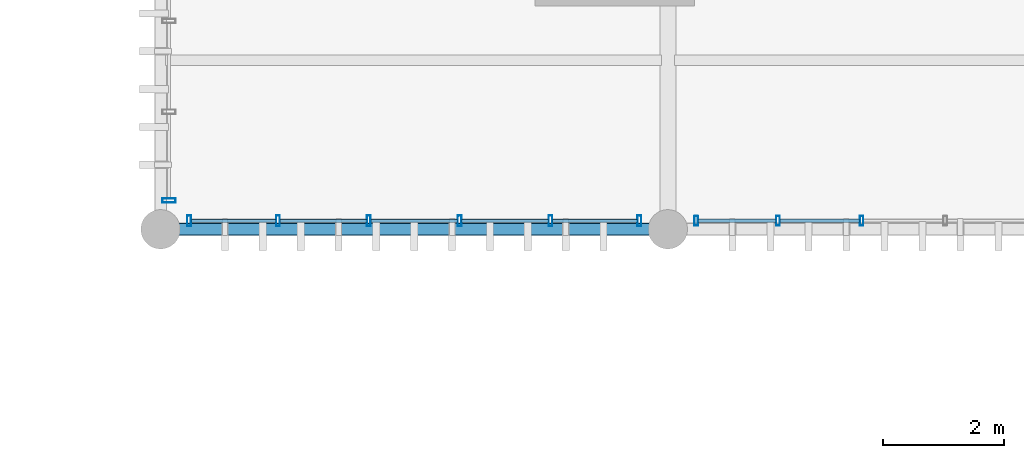
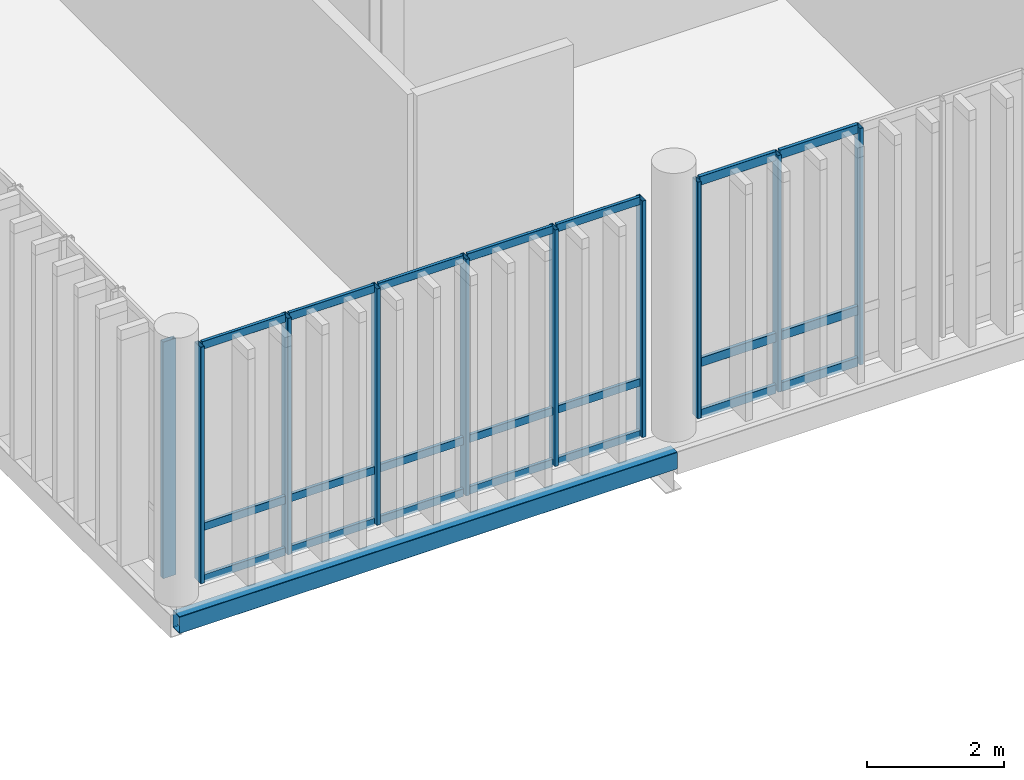
# One storey, part 45 of 86: 31 members, 1 beam, 3 elements without a shape of their own.
"""IFC4 building model written with IfcOpenShell, lengths in metres."""

import ifcopenshell
import ifcopenshell.guid

model = None  # the IFC model being written
_history = None  # IfcOwnerHistory: only IFC2X3 demands one
_inside = {}  # id of a spatial element -> (the spatial element, [elements in it])
_under = {}  # id of a project, library or spatial element -> (it, [spatial elements below it])
_declared = {}  # id of a project -> (the project, [libraries it declares])
_typed = {}  # id of a type object -> (the type object, [elements of that type])
_made_of = {}  # id of a material, layer set ... -> (it, [elements and type objects made of it])


def new_model(schema):
    """Start an empty IFC model of exactly this schema.

    Asked for "IFC4X3", IfcOpenShell would pick the latest addendum, in which some entities
    have other attributes; the version numbers below select the first issue.
    IFC2X3 requires an IfcOwnerHistory on every rooted entity: one is made here for all.
    """
    global model, _history
    if schema == "IFC4X3":
        model = ifcopenshell.file(schema_version=(4, 3, 0, 0))
    else:
        model = ifcopenshell.file(schema=schema)
    _inside.clear()
    _under.clear()
    _declared.clear()
    _typed.clear()
    _made_of.clear()
    _history = None
    if model.schema == "IFC2X3":
        org = make("IfcOrganization", Name="unknown")
        user = make(
            "IfcPersonAndOrganization",
            ThePerson=make("IfcPerson", FamilyName="unknown"),
            TheOrganization=org,
        )
        app = make(
            "IfcApplication",
            ApplicationDeveloper=org,
            Version="unknown",
            ApplicationFullName="unknown",
            ApplicationIdentifier="unknown",
        )
        _history = make(
            "IfcOwnerHistory",
            OwningUser=user,
            OwningApplication=app,
            ChangeAction="ADDED",
            CreationDate=0,
        )
    return model


def make(cls, **values):
    """One entity of the class cls with the attributes given. An attribute that is None is left unset."""
    return model.create_entity(
        cls, **{name: value for name, value in values.items() if value is not None}
    )


def rooted(cls, **values):
    """An entity with a GlobalId (a new one), such as an element, a storey or a relation."""
    return make(cls, GlobalId=ifcopenshell.guid.new(), OwnerHistory=_history, **values)


def si_unit(unit_type, name, prefix=None):
    """IfcSIUnit, for example si_unit("LENGTHUNIT", "METRE", prefix="MILLI")."""
    return make("IfcSIUnit", UnitType=unit_type, Prefix=prefix, Name=name)


def assignment(units):
    """IfcUnitAssignment: the units of a project."""
    return None if units is None else make("IfcUnitAssignment", Units=units)


def point(xyz):
    """IfcCartesianPoint."""
    return None if xyz is None else make("IfcCartesianPoint", Coordinates=xyz)


def direction(xyz):
    """IfcDirection."""
    return None if xyz is None else make("IfcDirection", DirectionRatios=xyz)


def frame(location, z_axis=None, x_axis=None):
    """IfcAxis2Placement3D, a coordinate frame: its origin and axes. An axis left out is left unset."""
    return make(
        "IfcAxis2Placement3D",
        Location=point(location),
        Axis=direction(z_axis),
        RefDirection=direction(x_axis),
    )


def frame_2d(location, x_axis=None):
    """IfcAxis2Placement2D, a coordinate frame in the plane: its origin and x axis."""
    return make(
        "IfcAxis2Placement2D", Location=point(location), RefDirection=direction(x_axis)
    )


def origin_with_axes():
    """The frame at (0, 0, 0) with the z axis (0, 0, 1) and the x axis (1, 0, 0) written out."""
    return frame((0.0, 0.0, 0.0), z_axis=(0.0, 0.0, 1.0), x_axis=(1.0, 0.0, 0.0))


def origin_2d_with_axis():
    """The frame at (0, 0) in the plane with the x axis (1, 0) written out."""
    return frame_2d((0.0, 0.0), x_axis=(1.0, 0.0))


def place(relative_to, where):
    """IfcLocalPlacement: puts the frame where relative to a parent placement (None: the world)."""
    return make(
        "IfcLocalPlacement", PlacementRelTo=relative_to, RelativePlacement=where
    )


def context(
    kind, dimensions, precision=None, world=None, true_north=None, identifier=None
):
    """IfcGeometricRepresentationContext, for example the 3D "Model" context."""
    return make(
        "IfcGeometricRepresentationContext",
        ContextIdentifier=identifier,
        ContextType=kind,
        CoordinateSpaceDimension=dimensions,
        Precision=precision,
        WorldCoordinateSystem=world,
        TrueNorth=true_north,
    )


def subcontext(parent, identifier, kind, view, scale=None):
    """IfcGeometricRepresentationSubContext, for example "Body" below "Model"."""
    return make(
        "IfcGeometricRepresentationSubContext",
        ContextIdentifier=identifier,
        ContextType=kind,
        ParentContext=parent,
        TargetScale=scale,
        TargetView=view,
    )


def project(units=None, contexts=None):
    """IfcProject with its units and contexts."""
    return rooted(
        "IfcProject",
        Name="project",
        RepresentationContexts=contexts,
        UnitsInContext=assignment(units),
    )


def spatial(cls, under=None, at=None, **own):
    """A site, building, storey or space (cls), placed at a placement, below another one or the project."""
    s = rooted(cls, ObjectPlacement=at, **own)
    if under is not None:
        _under.setdefault(under.id(), (under, []))[1].append(s)
    return s


def profile(cls, at=None, kind="AREA", **sizes):
    """A parametric profile (cls). Its sizes go by their IFC names, for example OverallWidth=200.0."""
    return make(cls, ProfileType=kind, Position=at, **sizes)


def hollow_rectangle(**sizes):
    """IfcRectangleHollowProfileDef."""
    return profile("IfcRectangleHollowProfileDef", **sizes)


def extrude(swept, where, along, depth):
    """IfcExtrudedAreaSolid: the profile swept, set in the frame where, extruded along a direction by depth."""
    return make(
        "IfcExtrudedAreaSolid",
        SweptArea=swept,
        Position=where,
        ExtrudedDirection=direction(along),
        Depth=depth,
    )


def shape(context_of_items, identifier, shape_type, items):
    """IfcShapeRepresentation: the items that make up one representation, for example the "Body"."""
    return make(
        "IfcShapeRepresentation",
        ContextOfItems=context_of_items,
        RepresentationIdentifier=identifier,
        RepresentationType=shape_type,
        Items=items,
    )


def material(Name=None, Category=None):
    """IfcMaterial."""
    return make("IfcMaterial", Name=Name, Category=Category)


def material_profile(
    of_material, cross_section, Name=None, Category=None, Priority=None
):
    """IfcMaterialProfile: a cross section and its material."""
    return make(
        "IfcMaterialProfile",
        Name=Name,
        Material=of_material,
        Profile=cross_section,
        Priority=Priority,
        Category=Category,
    )


def profile_set(profiles, Name=None, composite=None):
    """IfcMaterialProfileSet."""
    return make(
        "IfcMaterialProfileSet",
        Name=Name,
        MaterialProfiles=profiles,
        CompositeProfile=composite,
    )


def made_of(thing, what):
    """Note that an element or type object is made of a material, layer set ...; save() writes the relation."""
    if what is not None:
        _made_of.setdefault(what.id(), (what, []))[1].append(thing)
    return thing


def type_object(cls, material=None, **own):
    """A type object (cls), such as IfcWallType, which elements share."""
    return made_of(rooted(cls, **own), material)


def element(
    cls,
    number,
    at=None,
    inside=None,
    cuts=None,
    type_object=None,
    material=None,
    context=None,
    identifier="Body",
    shape_type=None,
    held_by="IfcProductDefinitionShape",
    body=None,
    shapes=None,
    **own,
):
    """One element of the class cls, such as IfcWall. Its Tag is "e" and its number.

    at: its placement. inside: the storey or other place that contains it. cuts: it is an
    opening in that element (IfcRelVoidsElement). A single representation is given by context,
    identifier, shape_type and body (its items); several are given by shapes. held_by: the class
    of the entity that holds the representations. save() writes the other relations.
    """
    e = rooted(cls, Tag="e%d" % number, ObjectPlacement=at, **own)
    if body is not None:
        shapes = [shape(context, identifier, shape_type, body)]
    if shapes is not None:
        e.Representation = make(held_by, Representations=shapes)
    if inside is not None:
        _inside.setdefault(inside.id(), (inside, []))[1].append(e)
    if cuts is not None:
        rooted(
            "IfcRelVoidsElement", RelatingBuildingElement=cuts, RelatedOpeningElement=e
        )
    if type_object is not None:
        _typed.setdefault(type_object.id(), (type_object, []))[1].append(e)
    return made_of(e, material)


def aggregate(whole, parts):
    """IfcRelAggregates: a whole, such as a stair, and the parts it consists of."""
    return rooted("IfcRelAggregates", RelatingObject=whole, RelatedObjects=parts)


def save(model, path):
    """Write the relations noted so far, then the file.

    IfcRelAggregates (storeys below a building ...), IfcRelContainedInSpatialStructure (elements
    in a storey), IfcRelDefinesByType, IfcRelAssociatesMaterial and IfcRelDeclares: one each for
    every whole, place, type object, material and project.
    """
    for whole, parts in _under.values():
        aggregate(whole, parts)
    for where, things in _inside.values():
        rooted(
            "IfcRelContainedInSpatialStructure",
            RelatedElements=things,
            RelatingStructure=where,
        )
    for kind, things in _typed.values():
        rooted("IfcRelDefinesByType", RelatedObjects=things, RelatingType=kind)
    for what, things in _made_of.values():
        rooted("IfcRelAssociatesMaterial", RelatedObjects=things, RelatingMaterial=what)
    for by, libraries in _declared.values():
        rooted("IfcRelDeclares", RelatingContext=by, RelatedDefinitions=libraries)
    model.write(path)


model = new_model("IFC4")

# Units and contexts
model_context = context("Model", 3, precision=1e-05, world=origin_with_axes(), true_north=direction((0.0, 1.0)))
body_context = subcontext(model_context, "Body", "Model", "MODEL_VIEW")
ifc_project = project(units=[si_unit("LENGTHUNIT", "METRE"), si_unit("AREAUNIT", "SQUARE_METRE"), si_unit("VOLUMEUNIT", "CUBIC_METRE"), si_unit("PLANEANGLEUNIT", "RADIAN"), si_unit("MASSUNIT", "GRAM", prefix="KILO"), si_unit("THERMODYNAMICTEMPERATUREUNIT", "KELVIN")], contexts=[model_context])

# Site, building, storey
site_placement = place(None, origin_with_axes())
site = spatial("IfcSite", under=ifc_project, at=site_placement, CompositionType="ELEMENT")
building_placement = place(site_placement, origin_with_axes())
building = spatial("IfcBuilding", under=site, at=building_placement, Name="Montbau Bow Law Courts", CompositionType="ELEMENT")
storey_placement = place(building_placement, frame((0.0, 0.0, 29.7), z_axis=(0.0, 0.0, 1.0), x_axis=(1.0, 0.0, 0.0)))
storey = spatial("IfcBuildingStorey", under=building, at=storey_placement, Name="L06", CompositionType="ELEMENT", Elevation=29.7)

# Beam
ifc_material_1 = material(Name="Steel CSA G40.21 Grade 350WT (350 MPa)", Category="steel")
ifc_material_profile_1 = material_profile(ifc_material_1, hollow_rectangle(XDim=0.203, YDim=0.305, WallThickness=0.0127, InnerFilletRadius=0.0254, OuterFilletRadius=0.0127, at=origin_2d_with_axis()), Name="HSS305X203X13", Category="Main", Priority=0)
ifc_profile_set_1 = profile_set([ifc_material_profile_1], Name="Steel CSA G40.21 Grade 350WT (350 MPa)")
beam_type = type_object("IfcBeamType", Name="B-SPN-02", PredefinedType="SPANDREL", material=ifc_profile_set_1)
beam_placement = place(None, frame((138.6, 78.0, 29.207), z_axis=(1.0, 0.0, 0.0), x_axis=(0.0, 1.0, 0.0)))
element("IfcBeam", 1, at=beam_placement, inside=storey, type_object=beam_type, Name="SPN-L06-S1298:bm2_1301", PredefinedType="SPANDREL", context=body_context, shape_type="SweptSolid", body=[
    extrude(hollow_rectangle(XDim=0.203, YDim=0.305, WallThickness=0.0127, InnerFilletRadius=0.0254, OuterFilletRadius=0.0127, at=origin_2d_with_axis()), origin_with_axes(), (0.0, 0.0, 1.0), 8.4),
])

# Curtain wall, member
ifc_material_2 = material(Name="Thermally Broken Extruded Aluminium AA 6063-T6", Category="aluminium")
curtain_wall_type = type_object("IfcCurtainWallType", Name="CW-SLT-02", PredefinedType="NOTDEFINED", material=ifc_material_2)
curtain_wall_1_placement = place(None, frame((138.74, 78.44, 29.7), z_axis=(0.0, 0.0, 1.0), x_axis=(1.0, 0.0, 0.0)))
curtain_wall_1 = element("IfcCurtainWall", 2, at=curtain_wall_1_placement, inside=storey, type_object=curtain_wall_type, Name="CW-L06-357:cw_0357", PredefinedType="NOTDEFINED")
ifc_material_profile_2 = material_profile(ifc_material_2, hollow_rectangle(XDim=0.075, YDim=0.22, WallThickness=0.005, InnerFilletRadius=0.01, OuterFilletRadius=0.005, at=origin_2d_with_axis()), Name="CWM-220X75", Category="Main", Priority=0)
ifc_profile_set_2 = profile_set([ifc_material_profile_2], Name="Thermally Broken Extruded Aluminium AA 6063-T6")
member_type_1 = type_object("IfcMemberType", Name="M-MUL-01", PredefinedType="MULLION", material=ifc_profile_set_2)
member_1_placement = place(None, frame((138.74, 78.477, 29.7), z_axis=(0.0, 0.0, 1.0), x_axis=(0.0, 1.0, 0.0)))
member_1 = element("IfcMember", 3, at=member_1_placement, type_object=member_type_1, Name="CW-L06-357-M01:cw_0357_M01", PredefinedType="MULLION", context=body_context, shape_type="SweptSolid", body=[
    extrude(hollow_rectangle(XDim=0.075, YDim=0.22, WallThickness=0.005, InnerFilletRadius=0.01, OuterFilletRadius=0.005, at=origin_2d_with_axis()), origin_with_axes(), (0.0, 0.0, 1.0), 4.22),
])
aggregate(curtain_wall_1, [member_1])

# Curtain wall, members
curtain_wall_2_placement = place(None, frame((139.04, 78.14, 29.7), z_axis=(0.0, 0.0, 1.0), x_axis=(1.0, 0.0, 0.0)))
curtain_wall_2 = element("IfcCurtainWall", 4, at=curtain_wall_2_placement, inside=storey, type_object=curtain_wall_type, Name="CW-L06-349:cw_0349", PredefinedType="NOTDEFINED")
ifc_material_profile_3 = material_profile(ifc_material_2, hollow_rectangle(XDim=0.065, YDim=0.18, WallThickness=0.005, InnerFilletRadius=0.01, OuterFilletRadius=0.005, at=origin_2d_with_axis()), Name="CWM-180X65", Category="Main", Priority=0)
ifc_profile_set_3 = profile_set([ifc_material_profile_3], Name="Thermally Broken Extruded Aluminium AA 6063-T6")
member_type_2 = type_object("IfcMemberType", Name="M-MUL-02", PredefinedType="MULLION", material=ifc_profile_set_3)
member_2_placement = place(None, frame((139.073, 78.14, 29.7), z_axis=(0.0, 0.0, 1.0), x_axis=(1.0, 0.0, 0.0)))
member_2 = element("IfcMember", 5, at=member_2_placement, type_object=member_type_2, Name="CW-L06-349-M01:cw_0349_M01", PredefinedType="MULLION", context=body_context, shape_type="SweptSolid", body=[
    extrude(hollow_rectangle(XDim=0.065, YDim=0.18, WallThickness=0.005, InnerFilletRadius=0.01, OuterFilletRadius=0.005, at=origin_2d_with_axis()), origin_with_axes(), (0.0, 0.0, 1.0), 4.22),
])
member_3_placement = place(None, frame((140.544, 78.14, 29.7), z_axis=(0.0, 0.0, 1.0), x_axis=(1.0, 0.0, 0.0)))
member_3 = element("IfcMember", 6, at=member_3_placement, type_object=member_type_2, Name="CW-L06-349-M02:cw_0349_M02", PredefinedType="MULLION", context=body_context, shape_type="SweptSolid", body=[
    extrude(hollow_rectangle(XDim=0.065, YDim=0.18, WallThickness=0.005, InnerFilletRadius=0.01, OuterFilletRadius=0.005, at=origin_2d_with_axis()), origin_with_axes(), (0.0, 0.0, 1.0), 4.22),
])
member_4_placement = place(None, frame((142.048, 78.14, 29.7), z_axis=(0.0, 0.0, 1.0), x_axis=(1.0, 0.0, 0.0)))
member_4 = element("IfcMember", 7, at=member_4_placement, type_object=member_type_2, Name="CW-L06-349-M03:cw_0349_M03", PredefinedType="MULLION", context=body_context, shape_type="SweptSolid", body=[
    extrude(hollow_rectangle(XDim=0.065, YDim=0.18, WallThickness=0.005, InnerFilletRadius=0.01, OuterFilletRadius=0.005, at=origin_2d_with_axis()), origin_with_axes(), (0.0, 0.0, 1.0), 4.22),
])
member_5_placement = place(None, frame((143.552, 78.14, 29.7), z_axis=(0.0, 0.0, 1.0), x_axis=(1.0, 0.0, 0.0)))
member_5 = element("IfcMember", 8, at=member_5_placement, type_object=member_type_2, Name="CW-L06-349-M04:cw_0349_M04", PredefinedType="MULLION", context=body_context, shape_type="SweptSolid", body=[
    extrude(hollow_rectangle(XDim=0.065, YDim=0.18, WallThickness=0.005, InnerFilletRadius=0.01, OuterFilletRadius=0.005, at=origin_2d_with_axis()), origin_with_axes(), (0.0, 0.0, 1.0), 4.22),
])
member_6_placement = place(None, frame((145.056, 78.14, 29.7), z_axis=(0.0, 0.0, 1.0), x_axis=(1.0, 0.0, 0.0)))
member_6 = element("IfcMember", 9, at=member_6_placement, type_object=member_type_2, Name="CW-L06-349-M05:cw_0349_M05", PredefinedType="MULLION", context=body_context, shape_type="SweptSolid", body=[
    extrude(hollow_rectangle(XDim=0.065, YDim=0.18, WallThickness=0.005, InnerFilletRadius=0.01, OuterFilletRadius=0.005, at=origin_2d_with_axis()), origin_with_axes(), (0.0, 0.0, 1.0), 4.22),
])
member_7_placement = place(None, frame((146.528, 78.14, 29.7), z_axis=(0.0, 0.0, 1.0), x_axis=(1.0, 0.0, 0.0)))
member_7 = element("IfcMember", 10, at=member_7_placement, type_object=member_type_2, Name="CW-L06-349-M06:cw_0349_M06", PredefinedType="MULLION", context=body_context, shape_type="SweptSolid", body=[
    extrude(hollow_rectangle(XDim=0.065, YDim=0.18, WallThickness=0.005, InnerFilletRadius=0.01, OuterFilletRadius=0.005, at=origin_2d_with_axis()), origin_with_axes(), (0.0, 0.0, 1.0), 4.22),
])

curtain_wall_3_placement = place(None, frame((147.44, 78.14, 29.7), z_axis=(0.0, 0.0, 1.0), x_axis=(1.0, 0.0, 0.0)))
curtain_wall_3 = element("IfcCurtainWall", 11, at=curtain_wall_3_placement, inside=storey, type_object=curtain_wall_type, Name="CW-L06-350:cw_0350", PredefinedType="NOTDEFINED")
ifc_material_profile_4 = material_profile(ifc_material_2, hollow_rectangle(XDim=0.06, YDim=0.16, WallThickness=0.004, InnerFilletRadius=0.008, OuterFilletRadius=0.004, at=origin_2d_with_axis()), Name="CWM-160X60", Category="Main", Priority=0)
ifc_profile_set_4 = profile_set([ifc_material_profile_4], Name="Thermally Broken Extruded Aluminium AA 6063-T6")
member_type_3 = type_object("IfcMemberType", Name="M-MUL-03", PredefinedType="MULLION", material=ifc_profile_set_4)
member_8_placement = place(None, frame((147.47, 78.14, 29.7), z_axis=(0.0, 0.0, 1.0), x_axis=(1.0, 0.0, 0.0)))
member_8 = element("IfcMember", 12, at=member_8_placement, type_object=member_type_3, Name="CW-L06-350-M01:cw_0350_M01", PredefinedType="MULLION", context=body_context, shape_type="SweptSolid", body=[
    extrude(hollow_rectangle(XDim=0.06, YDim=0.16, WallThickness=0.004, InnerFilletRadius=0.008, OuterFilletRadius=0.004, at=origin_2d_with_axis()), origin_with_axes(), (0.0, 0.0, 1.0), 4.22),
])
member_9_placement = place(None, frame((148.824, 78.14, 29.7), z_axis=(0.0, 0.0, 1.0), x_axis=(1.0, 0.0, 0.0)))
member_9 = element("IfcMember", 13, at=member_9_placement, type_object=member_type_3, Name="CW-L06-350-M02:cw_0350_M02", PredefinedType="MULLION", context=body_context, shape_type="SweptSolid", body=[
    extrude(hollow_rectangle(XDim=0.06, YDim=0.16, WallThickness=0.004, InnerFilletRadius=0.008, OuterFilletRadius=0.004, at=origin_2d_with_axis()), origin_with_axes(), (0.0, 0.0, 1.0), 4.22),
])
member_10_placement = place(None, frame((150.208, 78.14, 29.7), z_axis=(0.0, 0.0, 1.0), x_axis=(1.0, 0.0, 0.0)))
member_10 = element("IfcMember", 14, at=member_10_placement, type_object=member_type_3, Name="CW-L06-350-M03:cw_0350_M03", PredefinedType="MULLION", context=body_context, shape_type="SweptSolid", body=[
    extrude(hollow_rectangle(XDim=0.06, YDim=0.16, WallThickness=0.004, InnerFilletRadius=0.008, OuterFilletRadius=0.004, at=origin_2d_with_axis()), origin_with_axes(), (0.0, 0.0, 1.0), 4.22),
])
ifc_material_profile_5 = material_profile(ifc_material_2, hollow_rectangle(XDim=0.06, YDim=0.16, WallThickness=0.004, InnerFilletRadius=0.008, OuterFilletRadius=0.004, at=origin_2d_with_axis()), Name="CWT-160X60", Category="Main", Priority=0)
ifc_profile_set_5 = profile_set([ifc_material_profile_5], Name="Thermally Broken Extruded Aluminium AA 6063-T6")
member_type_4 = type_object("IfcMemberType", Name="M-TRN-01", PredefinedType="USERDEFINED", material=ifc_profile_set_5)
member_11_placement = place(None, frame((147.502, 78.14, 29.73), z_axis=(1.0, 0.0, 0.0), x_axis=(0.0, 1.0, 0.0)))
member_11 = element("IfcMember", 15, at=member_11_placement, type_object=member_type_4, Name="CW-L06-350-T01-1:cw_0350_T01_1", ObjectType="TRANSOM", PredefinedType="USERDEFINED", context=body_context, shape_type="SweptSolid", body=[
    extrude(hollow_rectangle(XDim=0.06, YDim=0.16, WallThickness=0.004, InnerFilletRadius=0.008, OuterFilletRadius=0.004, at=origin_2d_with_axis()), origin_with_axes(), (0.0, 0.0, 1.0), 1.29),
])
member_12_placement = place(None, frame((147.502, 78.14, 30.65), z_axis=(1.0, 0.0, 0.0), x_axis=(0.0, 1.0, 0.0)))
member_12 = element("IfcMember", 16, at=member_12_placement, type_object=member_type_4, Name="CW-L06-350-T01-2:cw_0350_T01_2", ObjectType="TRANSOM", PredefinedType="USERDEFINED", context=body_context, shape_type="SweptSolid", body=[
    extrude(hollow_rectangle(XDim=0.06, YDim=0.16, WallThickness=0.004, InnerFilletRadius=0.008, OuterFilletRadius=0.004, at=origin_2d_with_axis()), origin_with_axes(), (0.0, 0.0, 1.0), 1.29),
])
member_13_placement = place(None, frame((147.502, 78.14, 33.89), z_axis=(1.0, 0.0, 0.0), x_axis=(0.0, 1.0, 0.0)))
member_13 = element("IfcMember", 17, at=member_13_placement, type_object=member_type_4, Name="CW-L06-350-T01-3:cw_0350_T01_3", ObjectType="TRANSOM", PredefinedType="USERDEFINED", context=body_context, shape_type="SweptSolid", body=[
    extrude(hollow_rectangle(XDim=0.06, YDim=0.16, WallThickness=0.004, InnerFilletRadius=0.008, OuterFilletRadius=0.004, at=origin_2d_with_axis()), origin_with_axes(), (0.0, 0.0, 1.0), 1.29),
])
member_14_placement = place(None, frame((148.856, 78.14, 29.73), z_axis=(1.0, 0.0, 0.0), x_axis=(0.0, 1.0, 0.0)))
member_14 = element("IfcMember", 18, at=member_14_placement, type_object=member_type_4, Name="CW-L06-350-T02-1:cw_0350_T02_1", ObjectType="TRANSOM", PredefinedType="USERDEFINED", context=body_context, shape_type="SweptSolid", body=[
    extrude(hollow_rectangle(XDim=0.06, YDim=0.16, WallThickness=0.004, InnerFilletRadius=0.008, OuterFilletRadius=0.004, at=origin_2d_with_axis()), origin_with_axes(), (0.0, 0.0, 1.0), 1.32),
])
member_15_placement = place(None, frame((148.856, 78.14, 30.65), z_axis=(1.0, 0.0, 0.0), x_axis=(0.0, 1.0, 0.0)))
member_15 = element("IfcMember", 19, at=member_15_placement, type_object=member_type_4, Name="CW-L06-350-T02-2:cw_0350_T02_2", ObjectType="TRANSOM", PredefinedType="USERDEFINED", context=body_context, shape_type="SweptSolid", body=[
    extrude(hollow_rectangle(XDim=0.06, YDim=0.16, WallThickness=0.004, InnerFilletRadius=0.008, OuterFilletRadius=0.004, at=origin_2d_with_axis()), origin_with_axes(), (0.0, 0.0, 1.0), 1.32),
])
member_16_placement = place(None, frame((148.856, 78.14, 33.89), z_axis=(1.0, 0.0, 0.0), x_axis=(0.0, 1.0, 0.0)))
member_16 = element("IfcMember", 20, at=member_16_placement, type_object=member_type_4, Name="CW-L06-350-T02-3:cw_0350_T02_3", ObjectType="TRANSOM", PredefinedType="USERDEFINED", context=body_context, shape_type="SweptSolid", body=[
    extrude(hollow_rectangle(XDim=0.06, YDim=0.16, WallThickness=0.004, InnerFilletRadius=0.008, OuterFilletRadius=0.004, at=origin_2d_with_axis()), origin_with_axes(), (0.0, 0.0, 1.0), 1.32),
])
aggregate(curtain_wall_3, [member_8, member_9, member_10, member_11, member_12, member_13, member_14, member_15, member_16])

# Member
ifc_material_profile_6 = material_profile(ifc_material_2, hollow_rectangle(XDim=0.055, YDim=0.14, WallThickness=0.004, InnerFilletRadius=0.008, OuterFilletRadius=0.004, at=origin_2d_with_axis()), Name="CWT-140X55", Category="Main", Priority=0)
ifc_profile_set_6 = profile_set([ifc_material_profile_6], Name="Thermally Broken Extruded Aluminium AA 6063-T6")
member_type_5 = type_object("IfcMemberType", Name="M-TRN-02", PredefinedType="USERDEFINED", material=ifc_profile_set_6)
member_17_placement = place(None, frame((139.108, 78.14, 29.727), z_axis=(1.0, 0.0, 0.0), x_axis=(0.0, 1.0, 0.0)))
member_17 = element("IfcMember", 21, at=member_17_placement, type_object=member_type_5, Name="CW-L06-349-T01-1:cw_0349_T01_1", ObjectType="TRANSOM", PredefinedType="USERDEFINED", context=body_context, shape_type="SweptSolid", body=[
    extrude(hollow_rectangle(XDim=0.055, YDim=0.14, WallThickness=0.004, InnerFilletRadius=0.008, OuterFilletRadius=0.004, at=origin_2d_with_axis()), origin_with_axes(), (0.0, 0.0, 1.0), 1.402),
])

member_18_placement = place(None, frame((139.108, 78.14, 30.65), z_axis=(1.0, 0.0, 0.0), x_axis=(0.0, 1.0, 0.0)))
member_18 = element("IfcMember", 22, at=member_18_placement, type_object=member_type_5, Name="CW-L06-349-T01-2:cw_0349_T01_2", ObjectType="TRANSOM", PredefinedType="USERDEFINED", context=body_context, shape_type="SweptSolid", body=[
    extrude(hollow_rectangle(XDim=0.055, YDim=0.14, WallThickness=0.004, InnerFilletRadius=0.008, OuterFilletRadius=0.004, at=origin_2d_with_axis()), origin_with_axes(), (0.0, 0.0, 1.0), 1.402),
])

member_19_placement = place(None, frame((139.108, 78.14, 33.892), z_axis=(1.0, 0.0, 0.0), x_axis=(0.0, 1.0, 0.0)))
member_19 = element("IfcMember", 23, at=member_19_placement, type_object=member_type_5, Name="CW-L06-349-T01-3:cw_0349_T01_3", ObjectType="TRANSOM", PredefinedType="USERDEFINED", context=body_context, shape_type="SweptSolid", body=[
    extrude(hollow_rectangle(XDim=0.055, YDim=0.14, WallThickness=0.004, InnerFilletRadius=0.008, OuterFilletRadius=0.004, at=origin_2d_with_axis()), origin_with_axes(), (0.0, 0.0, 1.0), 1.402),
])

member_20_placement = place(None, frame((140.578, 78.14, 29.727), z_axis=(1.0, 0.0, 0.0), x_axis=(0.0, 1.0, 0.0)))
member_20 = element("IfcMember", 24, at=member_20_placement, type_object=member_type_5, Name="CW-L06-349-T02-1:cw_0349_T02_1", ObjectType="TRANSOM", PredefinedType="USERDEFINED", context=body_context, shape_type="SweptSolid", body=[
    extrude(hollow_rectangle(XDim=0.055, YDim=0.14, WallThickness=0.004, InnerFilletRadius=0.008, OuterFilletRadius=0.004, at=origin_2d_with_axis()), origin_with_axes(), (0.0, 0.0, 1.0), 1.436),
])

member_21_placement = place(None, frame((140.578, 78.14, 30.65), z_axis=(1.0, 0.0, 0.0), x_axis=(0.0, 1.0, 0.0)))
member_21 = element("IfcMember", 25, at=member_21_placement, type_object=member_type_5, Name="CW-L06-349-T02-2:cw_0349_T02_2", ObjectType="TRANSOM", PredefinedType="USERDEFINED", context=body_context, shape_type="SweptSolid", body=[
    extrude(hollow_rectangle(XDim=0.055, YDim=0.14, WallThickness=0.004, InnerFilletRadius=0.008, OuterFilletRadius=0.004, at=origin_2d_with_axis()), origin_with_axes(), (0.0, 0.0, 1.0), 1.436),
])

member_22_placement = place(None, frame((140.578, 78.14, 33.892), z_axis=(1.0, 0.0, 0.0), x_axis=(0.0, 1.0, 0.0)))
member_22 = element("IfcMember", 26, at=member_22_placement, type_object=member_type_5, Name="CW-L06-349-T02-3:cw_0349_T02_3", ObjectType="TRANSOM", PredefinedType="USERDEFINED", context=body_context, shape_type="SweptSolid", body=[
    extrude(hollow_rectangle(XDim=0.055, YDim=0.14, WallThickness=0.004, InnerFilletRadius=0.008, OuterFilletRadius=0.004, at=origin_2d_with_axis()), origin_with_axes(), (0.0, 0.0, 1.0), 1.436),
])

member_23_placement = place(None, frame((142.082, 78.14, 29.727), z_axis=(1.0, 0.0, 0.0), x_axis=(0.0, 1.0, 0.0)))
member_23 = element("IfcMember", 27, at=member_23_placement, type_object=member_type_5, Name="CW-L06-349-T03-1:cw_0349_T03_1", ObjectType="TRANSOM", PredefinedType="USERDEFINED", context=body_context, shape_type="SweptSolid", body=[
    extrude(hollow_rectangle(XDim=0.055, YDim=0.14, WallThickness=0.004, InnerFilletRadius=0.008, OuterFilletRadius=0.004, at=origin_2d_with_axis()), origin_with_axes(), (0.0, 0.0, 1.0), 1.436),
])

member_24_placement = place(None, frame((142.082, 78.14, 30.65), z_axis=(1.0, 0.0, 0.0), x_axis=(0.0, 1.0, 0.0)))
member_24 = element("IfcMember", 28, at=member_24_placement, type_object=member_type_5, Name="CW-L06-349-T03-2:cw_0349_T03_2", ObjectType="TRANSOM", PredefinedType="USERDEFINED", context=body_context, shape_type="SweptSolid", body=[
    extrude(hollow_rectangle(XDim=0.055, YDim=0.14, WallThickness=0.004, InnerFilletRadius=0.008, OuterFilletRadius=0.004, at=origin_2d_with_axis()), origin_with_axes(), (0.0, 0.0, 1.0), 1.436),
])

member_25_placement = place(None, frame((142.082, 78.14, 33.892), z_axis=(1.0, 0.0, 0.0), x_axis=(0.0, 1.0, 0.0)))
member_25 = element("IfcMember", 29, at=member_25_placement, type_object=member_type_5, Name="CW-L06-349-T03-3:cw_0349_T03_3", ObjectType="TRANSOM", PredefinedType="USERDEFINED", context=body_context, shape_type="SweptSolid", body=[
    extrude(hollow_rectangle(XDim=0.055, YDim=0.14, WallThickness=0.004, InnerFilletRadius=0.008, OuterFilletRadius=0.004, at=origin_2d_with_axis()), origin_with_axes(), (0.0, 0.0, 1.0), 1.436),
])

member_26_placement = place(None, frame((143.586, 78.14, 29.727), z_axis=(1.0, 0.0, 0.0), x_axis=(0.0, 1.0, 0.0)))
member_26 = element("IfcMember", 30, at=member_26_placement, type_object=member_type_5, Name="CW-L06-349-T04-1:cw_0349_T04_1", ObjectType="TRANSOM", PredefinedType="USERDEFINED", context=body_context, shape_type="SweptSolid", body=[
    extrude(hollow_rectangle(XDim=0.055, YDim=0.14, WallThickness=0.004, InnerFilletRadius=0.008, OuterFilletRadius=0.004, at=origin_2d_with_axis()), origin_with_axes(), (0.0, 0.0, 1.0), 1.436),
])

member_27_placement = place(None, frame((143.586, 78.14, 30.65), z_axis=(1.0, 0.0, 0.0), x_axis=(0.0, 1.0, 0.0)))
member_27 = element("IfcMember", 31, at=member_27_placement, type_object=member_type_5, Name="CW-L06-349-T04-2:cw_0349_T04_2", ObjectType="TRANSOM", PredefinedType="USERDEFINED", context=body_context, shape_type="SweptSolid", body=[
    extrude(hollow_rectangle(XDim=0.055, YDim=0.14, WallThickness=0.004, InnerFilletRadius=0.008, OuterFilletRadius=0.004, at=origin_2d_with_axis()), origin_with_axes(), (0.0, 0.0, 1.0), 1.436),
])

member_28_placement = place(None, frame((143.586, 78.14, 33.892), z_axis=(1.0, 0.0, 0.0), x_axis=(0.0, 1.0, 0.0)))
member_28 = element("IfcMember", 32, at=member_28_placement, type_object=member_type_5, Name="CW-L06-349-T04-3:cw_0349_T04_3", ObjectType="TRANSOM", PredefinedType="USERDEFINED", context=body_context, shape_type="SweptSolid", body=[
    extrude(hollow_rectangle(XDim=0.055, YDim=0.14, WallThickness=0.004, InnerFilletRadius=0.008, OuterFilletRadius=0.004, at=origin_2d_with_axis()), origin_with_axes(), (0.0, 0.0, 1.0), 1.436),
])

member_29_placement = place(None, frame((145.09, 78.14, 29.727), z_axis=(1.0, 0.0, 0.0), x_axis=(0.0, 1.0, 0.0)))
member_29 = element("IfcMember", 33, at=member_29_placement, type_object=member_type_5, Name="CW-L06-349-T05-1:cw_0349_T05_1", ObjectType="TRANSOM", PredefinedType="USERDEFINED", context=body_context, shape_type="SweptSolid", body=[
    extrude(hollow_rectangle(XDim=0.055, YDim=0.14, WallThickness=0.004, InnerFilletRadius=0.008, OuterFilletRadius=0.004, at=origin_2d_with_axis()), origin_with_axes(), (0.0, 0.0, 1.0), 1.404),
])

member_30_placement = place(None, frame((145.09, 78.14, 30.65), z_axis=(1.0, 0.0, 0.0), x_axis=(0.0, 1.0, 0.0)))
member_30 = element("IfcMember", 34, at=member_30_placement, type_object=member_type_5, Name="CW-L06-349-T05-2:cw_0349_T05_2", ObjectType="TRANSOM", PredefinedType="USERDEFINED", context=body_context, shape_type="SweptSolid", body=[
    extrude(hollow_rectangle(XDim=0.055, YDim=0.14, WallThickness=0.004, InnerFilletRadius=0.008, OuterFilletRadius=0.004, at=origin_2d_with_axis()), origin_with_axes(), (0.0, 0.0, 1.0), 1.404),
])

member_31_placement = place(None, frame((145.09, 78.14, 33.892), z_axis=(1.0, 0.0, 0.0), x_axis=(0.0, 1.0, 0.0)))
member_31 = element("IfcMember", 35, at=member_31_placement, type_object=member_type_5, Name="CW-L06-349-T05-3:cw_0349_T05_3", ObjectType="TRANSOM", PredefinedType="USERDEFINED", context=body_context, shape_type="SweptSolid", body=[
    extrude(hollow_rectangle(XDim=0.055, YDim=0.14, WallThickness=0.004, InnerFilletRadius=0.008, OuterFilletRadius=0.004, at=origin_2d_with_axis()), origin_with_axes(), (0.0, 0.0, 1.0), 1.404),
])

aggregate(curtain_wall_2, [member_2, member_3, member_4, member_5, member_6, member_7, member_17, member_18, member_19, member_20, member_21, member_22, member_23, member_24, member_25, member_26, member_27, member_28, member_29, member_30, member_31])

save(model, "model.ifc")
